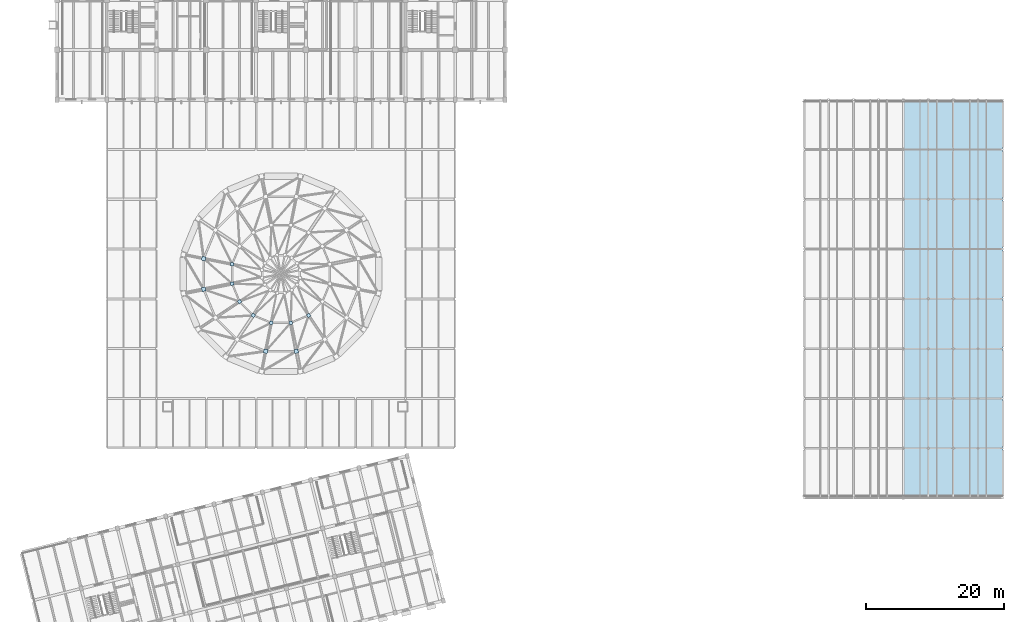
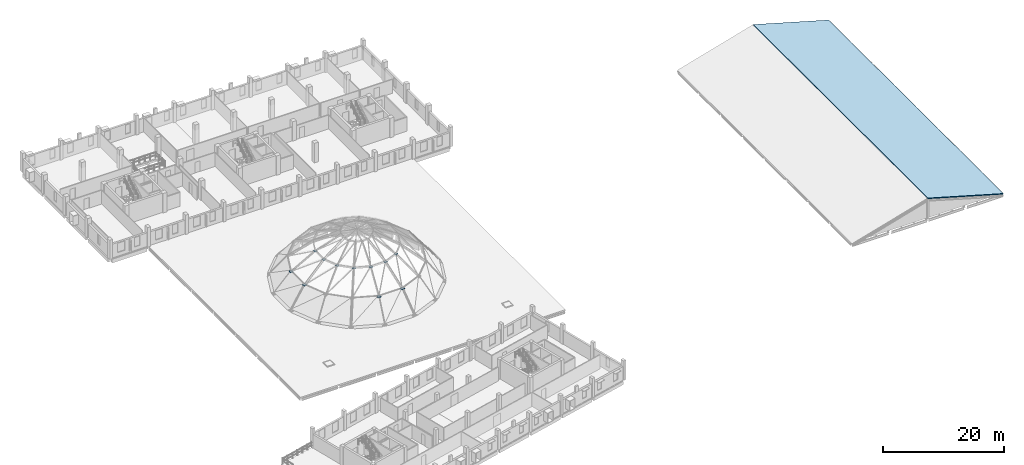
# One storey, part 18 of 32: 11 plates, 1 slab.
"""IFC4 building model written with IfcOpenShell, lengths in metres."""

from ifc_helpers import new_model, si_unit, direction, frame, origin, origin_2d, place, context, subcontext, project, spatial, polyline, rectangle, outline, extrude, material, layer, layer_set, type_object, element, save


model = new_model("IFC4")

# Units and contexts
model_context = context("Model", 3, precision=1e-05, world=origin(), true_north=direction((0.0, 1.0)))
body_context = subcontext(model_context, "Body", "Model", "MODEL_VIEW")
ifc_project = project(units=[si_unit("LENGTHUNIT", "METRE"), si_unit("AREAUNIT", "SQUARE_METRE"), si_unit("VOLUMEUNIT", "CUBIC_METRE"), si_unit("PLANEANGLEUNIT", "RADIAN"), si_unit("MASSUNIT", "GRAM", prefix="KILO")], contexts=[model_context])

# Site, building, storey
site_placement = place(None, origin())
site = spatial("IfcSite", under=ifc_project, at=site_placement, CompositionType="ELEMENT")
building_placement = place(site_placement, origin())
building = spatial("IfcBuilding", under=site, at=building_placement, Name="Qiaolan Assembly House", CompositionType="ELEMENT")
storey_placement = place(building_placement, frame((0.0, 0.0, 18.60009765625)))
storey = spatial("IfcBuildingStorey", under=building, at=storey_placement, Name="L04", CompositionType="ELEMENT", Elevation=18.60009765625)

# Plates
ifc_material_1 = material(Name="Steel Q355B", Category="steel")
ifc_layer_1 = layer(ifc_material_1, 0.034912109375)
ifc_layer_set_1 = layer_set([ifc_layer_1], Name="Steel Q355B")
plate_type_1 = type_object("IfcPlateType", Name="PLT-NODE-DN2-RING", PredefinedType="SHEET", material=ifc_layer_set_1)
for number, where, z_axis, x_axis, name in (
    (1, (57.218994140625, 63.424072265625, 3.7822265625), (0.0, 0.0, 1.0), (-0.980785280403, 0.195090322016, 0.0), "DN2 dome steel node and end-cap assembly T1-8"),
    (2, (57.218994140625, 58.97607421875, 3.7822265625), (0.0, 0.0, 1.0), (-0.980785280403, -0.195090322016, 0.0), "DN2 dome steel node and end-cap assembly T1-9"),
    (3, (66.176025390625, 50.01904296875, 3.7822265625), (0.0, 0.0, 1.0), (-0.195090322016, -0.980785280403, 0.0), "DN2 dome steel node and end-cap assembly T1-12"),
    (4, (70.6240234375, 50.01904296875, 3.7822265625), (0.0, 0.0, 1.0), (0.195090322016, -0.980785280403, 0.0), "DN2 dome steel node and end-cap assembly T1-13"),
):
    element("IfcPlate", number, at=place(storey_placement, frame(where, z_axis=z_axis, x_axis=x_axis)), inside=storey, type_object=plate_type_1, Name=name, PredefinedType="SHEET", context=body_context, shape_type="SweptSolid", body=[
        extrude(rectangle(XDim=0.56005859375, YDim=0.56005859375, at=origin_2d()), origin(), (0.0, 0.0, 1.0), 0.034912109375),
    ])
ifc_layer_2 = layer(ifc_material_1, 0.031005859375)
ifc_layer_set_2 = layer_set([ifc_layer_2], Name="Steel Q355B")
plate_type_2 = type_object("IfcPlateType", Name="PLT-NODE-DN3-UPPER", PredefinedType="SHEET", material=ifc_layer_set_2)
for number, where, z_axis, x_axis, name in (
    (5, (61.33837890625, 62.604736328125, 6.984375), (0.0, 0.0, 1.0), (-0.980785280403, 0.195090322016, 0.0), "DN3 dome steel node and end-cap assembly T2-8"),
    (6, (61.33837890625, 59.79541015625, 6.984375), (0.0, 0.0, 1.0), (-0.980785280403, -0.195090322016, 0.0), "DN3 dome steel node and end-cap assembly T2-9"),
    (7, (62.413330078125, 57.199951171875, 6.984375), (0.0, 0.0, 1.0), (-0.831469612303, -0.55557023302, 0.0), "DN3 dome steel node and end-cap assembly T2-10"),
    (8, (64.39990234375, 55.21337890625, 6.984375), (0.0, 0.0, 1.0), (-0.55557023302, -0.831469612303, 0.0), "DN3 dome steel node and end-cap assembly T2-11"),
    (9, (66.995361328125, 54.138427734375, 6.984375), (0.0, 0.0, 1.0), (-0.195090322016, -0.980785280403, 0.0), "DN3 dome steel node and end-cap assembly T2-12"),
    (10, (69.8046875, 54.138427734375, 6.984375), (0.0, 0.0, 1.0), (0.195090322016, -0.980785280403, 0.0), "DN3 dome steel node and end-cap assembly T2-13"),
    (11, (72.400146484375, 55.21337890625, 6.984375), (0.0, 0.0, 1.0), (0.55557023302, -0.831469612303, 0.0), "DN3 dome steel node and end-cap assembly T2-14"),
):
    element("IfcPlate", number, at=place(storey_placement, frame(where, z_axis=z_axis, x_axis=x_axis)), inside=storey, type_object=plate_type_2, Name=name, PredefinedType="SHEET", context=body_context, shape_type="SweptSolid", body=[
        extrude(rectangle(XDim=0.47998046875, YDim=0.47998046875, at=origin_2d()), origin(), (0.0, 0.0, 1.0), 0.031005859375),
    ])

# Slab
ifc_material_2 = material(Name="Concrete C40/50", Category="concrete")
ifc_layer_3 = layer(ifc_material_2, 0.175048828125)
ifc_layer_set_3 = layer_set([ifc_layer_3], Name="Concrete C40/50")
slab_type = type_object("IfcSlabType", Name="SLB-ROOF-HIP-175", PredefinedType="ROOF", material=ifc_layer_set_3)
slab_placement = place(storey_placement, frame((158.449951171875, 28.800048828125, 4.11474609375), z_axis=(0.275632515805, 0.0, 0.961263083776), x_axis=(0.961263083776, 0.0, -0.275632515805)))
element("IfcSlab", 12, at=slab_placement, inside=storey, type_object=slab_type, Name="RS-04 East Library Neoclassical Pitched Roof East Slope (16 deg)", PredefinedType="ROOF", context=body_context, shape_type="SweptSolid", body=[
    extrude(outline(polyline([(0.0, 0.0), (14.928376943256177, 0.0), (14.928376943256177, 57.599853515625014), (0.0, 57.599853515625014), (0.0, 0.0)])), origin(), (0.0, 0.0, -1.0), 0.175048828125),
])

save(model, "model.ifc")
